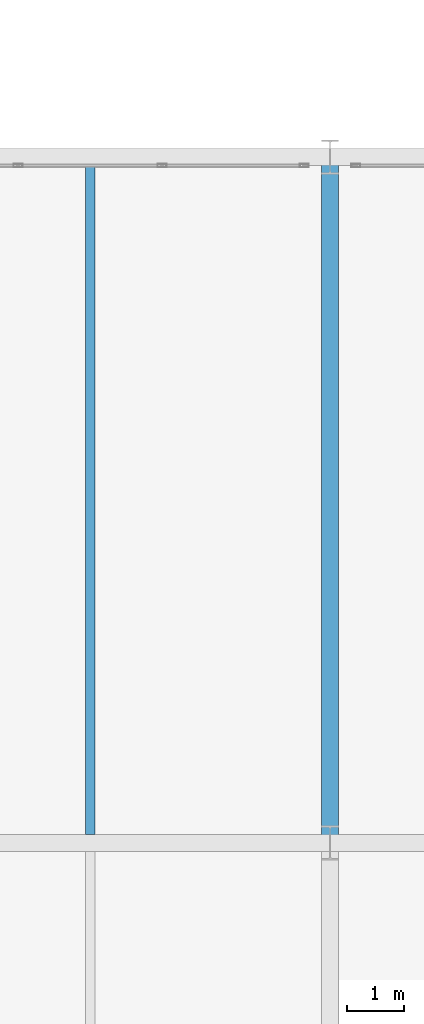
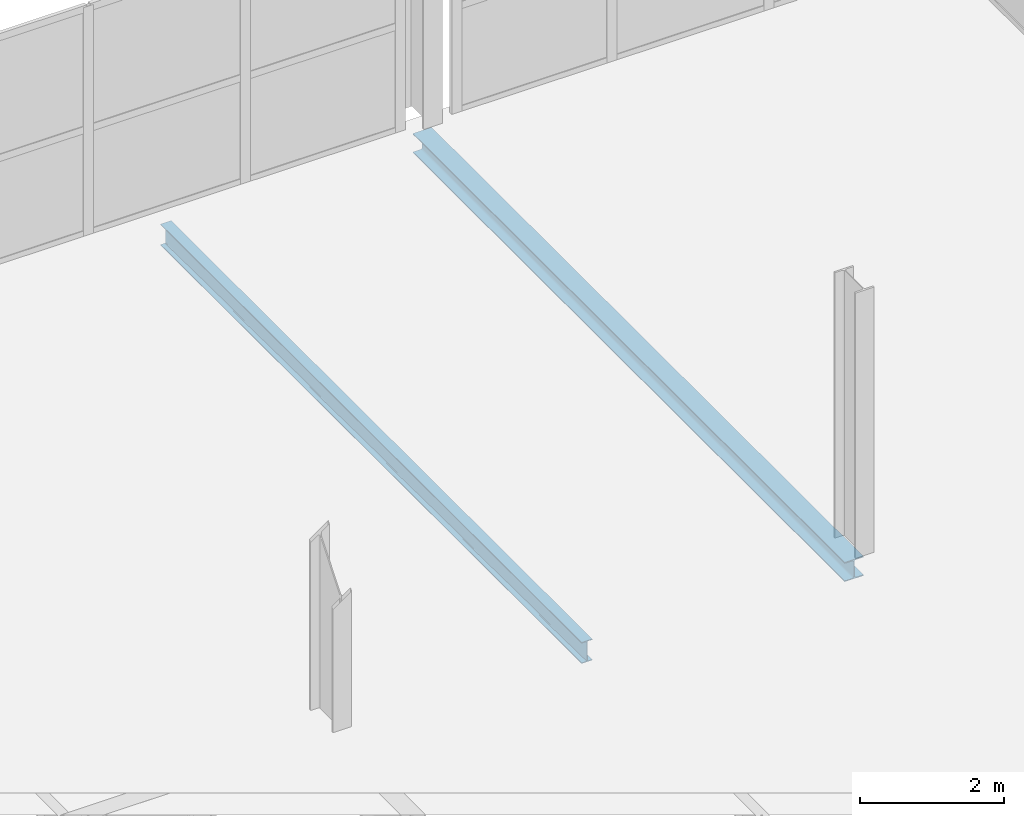
# One storey, part 76 of 130: 2 beams.
"""IFC4 building model written with IfcOpenShell, lengths in metres."""

from ifc_helpers import new_model, si_unit, direction, frame, origin, origin_2d, place, context, subcontext, project, spatial, i_section, extrude, material, material_profile, profile_set, type_object, element, save


model = new_model("IFC4")

# Units and contexts
model_context = context("Model", 3, precision=1e-05, world=origin(), true_north=direction((0.0, 1.0)))
body_context = subcontext(model_context, "Body", "Model", "MODEL_VIEW")
ifc_project = project(units=[si_unit("LENGTHUNIT", "METRE"), si_unit("AREAUNIT", "SQUARE_METRE"), si_unit("VOLUMEUNIT", "CUBIC_METRE"), si_unit("PLANEANGLEUNIT", "RADIAN"), si_unit("MASSUNIT", "GRAM", prefix="KILO")], contexts=[model_context])

# Site, building, storey
site_placement = place(None, origin())
site = spatial("IfcSite", under=ifc_project, at=site_placement, CompositionType="ELEMENT")
building_placement = place(site_placement, origin())
building = spatial("IfcBuilding", under=site, at=building_placement, Name="Veltarok Museum of Natural Sciences", CompositionType="ELEMENT")
storey_placement = place(building_placement, frame((0.0, 0.0, 12.89990234375)))
storey = spatial("IfcBuildingStorey", under=building, at=storey_placement, Name="L02", CompositionType="ELEMENT", Elevation=12.89990234375)

# Beams
ifc_material = material(Name="Steel S355J2", Category="steel")
ifc_material_profile_1 = material_profile(ifc_material, i_section(OverallWidth=0.169921875, OverallDepth=0.360107421875, WebThickness=0.008056640625, FlangeThickness=0.0126953125, FilletRadius=0.01806640625, at=origin_2d()), Name="IPE 360")
ifc_profile_set_1 = profile_set([ifc_material_profile_1], Name="Steel S355J2")
beam_type_1 = type_object("IfcBeamType", Name="Long-Bay Composite Joist IPE 360", PredefinedType="JOIST", material=ifc_profile_set_1)
beam_1_placement = place(storey_placement, frame((86.199951171875, 60.14794921875, -0.429931640625), z_axis=(0.0, 1.0, 0.0), x_axis=(-1.0, 0.0, 0.0)))
element("IfcBeam", 1, at=beam_1_placement, inside=storey, type_object=beam_type_1, Name="Secondary Joist BM-J01 L02 10-11/G-H.1", PredefinedType="JOIST", context=body_context, shape_type="SweptSolid", body=[
    extrude(i_section(OverallWidth=0.169921875, OverallDepth=0.360107421875, WebThickness=0.008056640625, FlangeThickness=0.0126953125, FilletRadius=0.01806640625, at=origin_2d()), origin(), (0.0, 0.0, 1.0), 11.7041015625),
])
ifc_material_profile_2 = material_profile(ifc_material, i_section(OverallWidth=0.300048828125, OverallDepth=0.330078125, WebThickness=0.009521484375, FlangeThickness=0.0166015625, FilletRadius=0.027099609375, at=origin_2d()), Name="HEA 340")
ifc_profile_set_2 = profile_set([ifc_material_profile_2], Name="Steel S355J2")
beam_type_2 = type_object("IfcBeamType", Name="Perimeter Upper Spandrel HEA 340", PredefinedType="SPANDREL", material=ifc_profile_set_2)
beam_2_placement = place(storey_placement, frame((90.39990234375, 60.0, -0.414794921875), z_axis=(0.0, 1.0, 0.0), x_axis=(-1.0, 0.0, 0.0)))
element("IfcBeam", 2, at=beam_2_placement, inside=storey, type_object=beam_type_2, Name="Beam BM-SP05 L02 11/G-H", PredefinedType="SPANDREL", context=body_context, shape_type="SweptSolid", body=[
    extrude(i_section(OverallWidth=0.300048828125, OverallDepth=0.330078125, WebThickness=0.009521484375, FlangeThickness=0.0166015625, FilletRadius=0.027099609375, at=origin_2d()), origin(), (0.0, 0.0, 1.0), 12.0),
])

save(model, "model.ifc")
